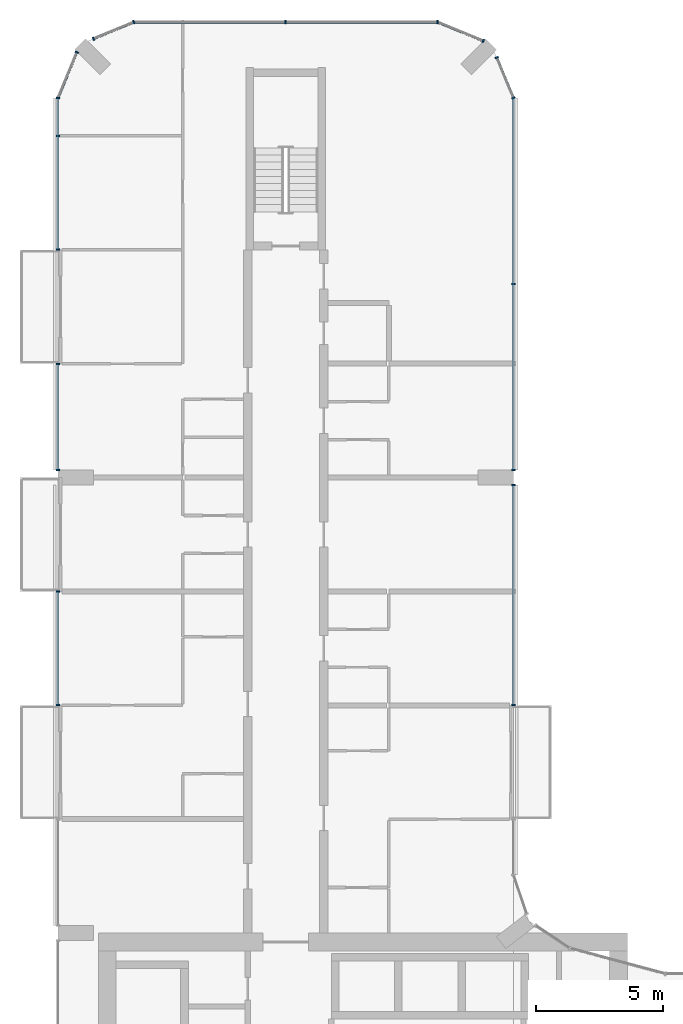
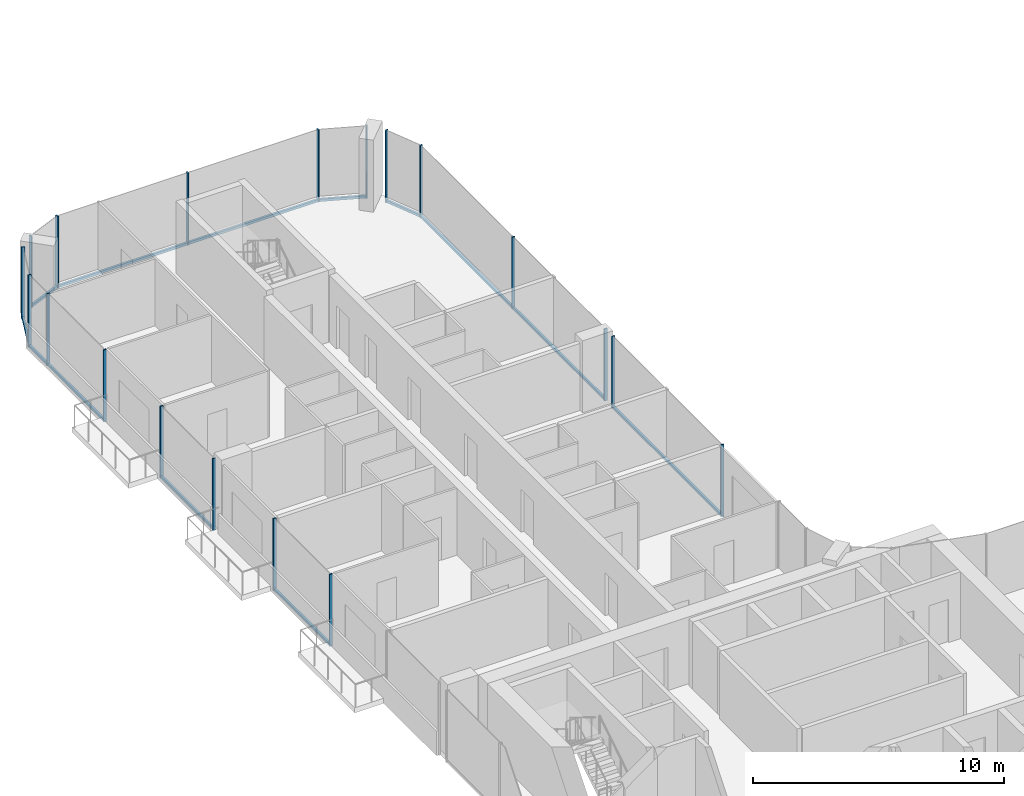
# One storey, part 6 of 22: 29 members, 10 elements without a shape of their own.
"""IFC4 building model written with IfcOpenShell, lengths in metres."""

from ifc_helpers import new_model, si_unit, direction, frame, origin, origin_2d, place, context, subcontext, project, spatial, rectangle, extrude, material, layer, layer_set, material_profile, profile_set, type_object, element, aggregate, save


model = new_model("IFC4")

# Units and contexts
model_context = context("Model", 3, precision=1e-05, world=origin(), true_north=direction((0.0, 1.0)))
body_context = subcontext(model_context, "Body", "Model", "MODEL_VIEW")
ifc_project = project(units=[si_unit("LENGTHUNIT", "METRE"), si_unit("AREAUNIT", "SQUARE_METRE"), si_unit("VOLUMEUNIT", "CUBIC_METRE"), si_unit("PLANEANGLEUNIT", "RADIAN"), si_unit("MASSUNIT", "GRAM", prefix="KILO")], contexts=[model_context])

# Site, building, storey
site_placement = place(None, origin())
site = spatial("IfcSite", under=ifc_project, at=site_placement, CompositionType="ELEMENT")
building_placement = place(site_placement, origin())
building = spatial("IfcBuilding", under=site, at=building_placement, Name="Plateau Cross Towers", CompositionType="ELEMENT")
storey_placement = place(building_placement, frame((0.0, 0.0, 61.800048828125)))
storey = spatial("IfcBuildingStorey", under=building, at=storey_placement, Name="L15", CompositionType="ELEMENT", Elevation=61.800048828125)

# Curtain wall, members
ifc_material_1 = material(Name="Dark low-iron glass", Category="glass")
ifc_layer = layer(ifc_material_1, 0.239990234375)
ifc_layer_set = layer_set([ifc_layer], Name="Dark low-iron glass")
curtain_wall_type = type_object("IfcCurtainWallType", Name="Curtain wall flush unitised CW-B", PredefinedType="NOTDEFINED", material=ifc_layer_set)
curtain_wall_1_placement = place(storey_placement, origin())
curtain_wall_1 = element("IfcCurtainWall", 1, at=curtain_wall_1_placement, inside=storey, type_object=curtain_wall_type, Name="ENV/A/L15/A180_270", PredefinedType="NOTDEFINED")
ifc_material_2 = material(Name="Black anodised aluminium", Category="aluminium")
ifc_material_profile_1 = material_profile(ifc_material_2, rectangle(XDim=0.06005859375, YDim=0.139892578125, at=origin_2d()), Name="MULLION 60x140")
ifc_profile_set_1 = profile_set([ifc_material_profile_1], Name="Black anodised aluminium")
member_type_1 = type_object("IfcMemberType", Name="Mullion 60x140 flush unitised", PredefinedType="MULLION", material=ifc_profile_set_1)
member_1_placement = place(storey_placement, frame((18.0, 27.010009765625, -0.25), z_axis=(0.0, 0.0, 1.0), x_axis=(0.0, 1.0, 0.0)))
member_1 = element("IfcMember", 2, at=member_1_placement, type_object=member_type_1, Name="CW-B mullion 1", PredefinedType="MULLION", context=body_context, shape_type="SweptSolid", body=[
    extrude(rectangle(XDim=0.06005859375, YDim=0.139892578125, at=origin_2d()), origin(), (0.0, 0.0, 1.0), 3.5),
])
member_2_placement = place(storey_placement, frame((18.0, 35.699951171875, -0.25), z_axis=(0.0, 0.0, 1.0), x_axis=(0.0, 1.0, 0.0)))
member_2 = element("IfcMember", 3, at=member_2_placement, type_object=member_type_1, Name="CW-B mullion 2", PredefinedType="MULLION", context=body_context, shape_type="SweptSolid", body=[
    extrude(rectangle(XDim=0.06005859375, YDim=0.139892578125, at=origin_2d()), origin(), (0.0, 0.0, 1.0), 3.5),
])

curtain_wall_2_placement = place(storey_placement, origin())
curtain_wall_2 = element("IfcCurtainWall", 4, at=curtain_wall_2_placement, inside=storey, type_object=curtain_wall_type, Name="ENV/A/L15/A180_363", PredefinedType="NOTDEFINED")
member_3_placement = place(storey_placement, frame((18.0, 36.300048828125, -0.25), z_axis=(0.0, 0.0, 1.0), x_axis=(0.0, 1.0, 0.0)))
member_3 = element("IfcMember", 5, at=member_3_placement, type_object=member_type_1, Name="CW-B mullion 1", PredefinedType="MULLION", context=body_context, shape_type="SweptSolid", body=[
    extrude(rectangle(XDim=0.06005859375, YDim=0.139892578125, at=origin_2d()), origin(), (0.0, 0.0, 1.0), 3.5),
])
member_4_placement = place(storey_placement, frame((18.0, 43.64990234375, -0.25), z_axis=(0.0, 0.0, 1.0), x_axis=(0.0, 1.0, 0.0)))
member_4 = element("IfcMember", 6, at=member_4_placement, type_object=member_type_1, Name="CW-B mullion 2", PredefinedType="MULLION", context=body_context, shape_type="SweptSolid", body=[
    extrude(rectangle(XDim=0.06005859375, YDim=0.139892578125, at=origin_2d()), origin(), (0.0, 0.0, 1.0), 3.5),
])

curtain_wall_3_placement = place(storey_placement, origin())
curtain_wall_3 = element("IfcCurtainWall", 7, at=curtain_wall_3_placement, inside=storey, type_object=curtain_wall_type, Name="ENV/A/L15/A180_510", PredefinedType="NOTDEFINED")
member_5_placement = place(storey_placement, frame((18.0, 51.0, -0.25), z_axis=(0.0, 0.0, 1.0), x_axis=(-0.382683612978, 0.923879457699, 0.0)))
member_5 = element("IfcMember", 8, at=member_5_placement, type_object=member_type_1, Name="CW-B mullion 1", PredefinedType="MULLION", context=body_context, shape_type="SweptSolid", body=[
    extrude(rectangle(XDim=0.06005859375, YDim=0.139892578125, at=origin_2d()), origin(), (0.0, 0.0, 1.0), 3.5),
])
member_6_placement = place(storey_placement, frame((17.338623046875, 52.5966796875, -0.25), z_axis=(0.0, 0.0, 1.0), x_axis=(-0.382683612978, 0.923879457699, 0.0)))
member_6 = element("IfcMember", 9, at=member_6_placement, type_object=member_type_1, Name="CW-B mullion 2", PredefinedType="MULLION", context=body_context, shape_type="SweptSolid", body=[
    extrude(rectangle(XDim=0.06005859375, YDim=0.139892578125, at=origin_2d()), origin(), (0.0, 0.0, 1.0), 3.5),
])

# Curtain wall, member
curtain_wall_4_placement = place(storey_placement, origin())
curtain_wall_4 = element("IfcCurtainWall", 10, at=curtain_wall_4_placement, inside=storey, type_object=curtain_wall_type, Name="ENV/A/L15/A168_533", PredefinedType="NOTDEFINED")
member_7_placement = place(storey_placement, frame((16.805908203125, 53.251953125, -0.25), z_axis=(0.0, 0.0, 1.0), x_axis=(-0.923879457699, 0.382683612978, 0.0)))
member_7 = element("IfcMember", 11, at=member_7_placement, type_object=member_type_1, Name="CW-B mullion 1", PredefinedType="MULLION", context=body_context, shape_type="SweptSolid", body=[
    extrude(rectangle(XDim=0.06005859375, YDim=0.139892578125, at=origin_2d()), origin(), (0.0, 0.0, 1.0), 3.5),
])

# Curtain wall, members
curtain_wall_5_placement = place(storey_placement, origin())
curtain_wall_5 = element("IfcCurtainWall", 12, at=curtain_wall_5_placement, inside=storey, type_object=curtain_wall_type, Name="ENV/A/L15/A150_540", PredefinedType="NOTDEFINED")
member_8_placement = place(storey_placement, frame((15.0, 54.0, -0.25), z_axis=(0.0, 0.0, 1.0), x_axis=(-1.0, 0.0, 0.0)))
member_8 = element("IfcMember", 13, at=member_8_placement, type_object=member_type_1, Name="CW-B mullion 1", PredefinedType="MULLION", context=body_context, shape_type="SweptSolid", body=[
    extrude(rectangle(XDim=0.06005859375, YDim=0.139892578125, at=origin_2d()), origin(), (0.0, 0.0, 1.0), 3.5),
])
member_9_placement = place(storey_placement, frame((9.0, 54.0, -0.25), z_axis=(0.0, 0.0, 1.0), x_axis=(-1.0, 0.0, 0.0)))
member_9 = element("IfcMember", 14, at=member_9_placement, type_object=member_type_1, Name="CW-B mullion 2", PredefinedType="MULLION", context=body_context, shape_type="SweptSolid", body=[
    extrude(rectangle(XDim=0.06005859375, YDim=0.139892578125, at=origin_2d()), origin(), (0.0, 0.0, 1.0), 3.5),
])

curtain_wall_6_placement = place(storey_placement, origin())
curtain_wall_6 = element("IfcCurtainWall", 15, at=curtain_wall_6_placement, inside=storey, type_object=curtain_wall_type, Name="ENV/A/L15/A30_540", PredefinedType="NOTDEFINED")
member_10_placement = place(storey_placement, frame((3.0, 54.0, -0.25), z_axis=(0.0, 0.0, 1.0), x_axis=(-0.923879457699, -0.382683612978, 0.0)))
member_10 = element("IfcMember", 16, at=member_10_placement, type_object=member_type_1, Name="CW-B mullion 1", PredefinedType="MULLION", context=body_context, shape_type="SweptSolid", body=[
    extrude(rectangle(XDim=0.06005859375, YDim=0.139892578125, at=origin_2d()), origin(), (0.0, 0.0, 1.0), 3.5),
])
member_11_placement = place(storey_placement, frame((1.4033203125, 53.338623046875, -0.25), z_axis=(0.0, 0.0, 1.0), x_axis=(-0.923879457699, -0.382683612978, 0.0)))
member_11 = element("IfcMember", 17, at=member_11_placement, type_object=member_type_1, Name="CW-B mullion 2", PredefinedType="MULLION", context=body_context, shape_type="SweptSolid", body=[
    extrude(rectangle(XDim=0.06005859375, YDim=0.139892578125, at=origin_2d()), origin(), (0.0, 0.0, 1.0), 3.5),
])

# Curtain wall, member
curtain_wall_7_placement = place(storey_placement, origin())
curtain_wall_7 = element("IfcCurtainWall", 18, at=curtain_wall_7_placement, inside=storey, type_object=curtain_wall_type, Name="ENV/A/L15/A7_528", PredefinedType="NOTDEFINED")
member_12_placement = place(storey_placement, frame((0.748046875, 52.805908203125, -0.25), z_axis=(0.0, 0.0, 1.0), x_axis=(-0.382683612978, -0.923879457699, 0.0)))
member_12 = element("IfcMember", 19, at=member_12_placement, type_object=member_type_1, Name="CW-B mullion 1", PredefinedType="MULLION", context=body_context, shape_type="SweptSolid", body=[
    extrude(rectangle(XDim=0.06005859375, YDim=0.139892578125, at=origin_2d()), origin(), (0.0, 0.0, 1.0), 3.5),
])

# Curtain wall, members
curtain_wall_8_placement = place(storey_placement, origin())
curtain_wall_8 = element("IfcCurtainWall", 20, at=curtain_wall_8_placement, inside=storey, type_object=curtain_wall_type, Name="ENV/A/L15/A0_510", PredefinedType="NOTDEFINED")
member_13_placement = place(storey_placement, frame((0.0, 51.0, -0.25), z_axis=(0.0, 0.0, 1.0), x_axis=(0.0, -1.0, 0.0)))
member_13 = element("IfcMember", 21, at=member_13_placement, type_object=member_type_1, Name="CW-B mullion 1", PredefinedType="MULLION", context=body_context, shape_type="SweptSolid", body=[
    extrude(rectangle(XDim=0.06005859375, YDim=0.139892578125, at=origin_2d()), origin(), (0.0, 0.0, 1.0), 3.5),
])
member_14_placement = place(storey_placement, frame((0.0, 49.5, -0.25), z_axis=(0.0, 0.0, 1.0), x_axis=(0.0, -1.0, 0.0)))
member_14 = element("IfcMember", 22, at=member_14_placement, type_object=member_type_1, Name="CW-B mullion 2", PredefinedType="MULLION", context=body_context, shape_type="SweptSolid", body=[
    extrude(rectangle(XDim=0.06005859375, YDim=0.139892578125, at=origin_2d()), origin(), (0.0, 0.0, 1.0), 3.5),
])
member_15_placement = place(storey_placement, frame((0.0, 45.010009765625, -0.25), z_axis=(0.0, 0.0, 1.0), x_axis=(0.0, -1.0, 0.0)))
member_15 = element("IfcMember", 23, at=member_15_placement, type_object=member_type_1, Name="CW-B mullion 3", PredefinedType="MULLION", context=body_context, shape_type="SweptSolid", body=[
    extrude(rectangle(XDim=0.06005859375, YDim=0.139892578125, at=origin_2d()), origin(), (0.0, 0.0, 1.0), 3.5),
])

curtain_wall_9_placement = place(storey_placement, origin())
curtain_wall_9 = element("IfcCurtainWall", 24, at=curtain_wall_9_placement, inside=storey, type_object=curtain_wall_type, Name="ENV/A/L15/A0_405", PredefinedType="NOTDEFINED")
member_16_placement = place(storey_placement, frame((0.0, 40.489990234375, -0.25), z_axis=(0.0, 0.0, 1.0), x_axis=(0.0, -1.0, 0.0)))
member_16 = element("IfcMember", 25, at=member_16_placement, type_object=member_type_1, Name="CW-B mullion 1", PredefinedType="MULLION", context=body_context, shape_type="SweptSolid", body=[
    extrude(rectangle(XDim=0.06005859375, YDim=0.139892578125, at=origin_2d()), origin(), (0.0, 0.0, 1.0), 3.5),
])
member_17_placement = place(storey_placement, frame((0.0, 36.300048828125, -0.25), z_axis=(0.0, 0.0, 1.0), x_axis=(0.0, -1.0, 0.0)))
member_17 = element("IfcMember", 26, at=member_17_placement, type_object=member_type_1, Name="CW-B mullion 2", PredefinedType="MULLION", context=body_context, shape_type="SweptSolid", body=[
    extrude(rectangle(XDim=0.06005859375, YDim=0.139892578125, at=origin_2d()), origin(), (0.0, 0.0, 1.0), 3.5),
])

curtain_wall_10_placement = place(storey_placement, origin())
curtain_wall_10 = element("IfcCurtainWall", 27, at=curtain_wall_10_placement, inside=storey, type_object=curtain_wall_type, Name="ENV/A/L15/A0_315", PredefinedType="NOTDEFINED")
member_18_placement = place(storey_placement, frame((0.0, 31.489990234375, -0.25), z_axis=(0.0, 0.0, 1.0), x_axis=(0.0, -1.0, 0.0)))
member_18 = element("IfcMember", 28, at=member_18_placement, type_object=member_type_1, Name="CW-B mullion 1", PredefinedType="MULLION", context=body_context, shape_type="SweptSolid", body=[
    extrude(rectangle(XDim=0.06005859375, YDim=0.139892578125, at=origin_2d()), origin(), (0.0, 0.0, 1.0), 3.5),
])
member_19_placement = place(storey_placement, frame((0.0, 27.010009765625, -0.25), z_axis=(0.0, 0.0, 1.0), x_axis=(0.0, -1.0, 0.0)))
member_19 = element("IfcMember", 29, at=member_19_placement, type_object=member_type_1, Name="CW-B mullion 2", PredefinedType="MULLION", context=body_context, shape_type="SweptSolid", body=[
    extrude(rectangle(XDim=0.06005859375, YDim=0.139892578125, at=origin_2d()), origin(), (0.0, 0.0, 1.0), 3.5),
])

# Member
ifc_material_profile_2 = material_profile(ifc_material_2, rectangle(XDim=0.10009765625, YDim=0.1201171875, at=origin_2d()), Name="TRANSOM 100x120")
ifc_profile_set_2 = profile_set([ifc_material_profile_2], Name="Black anodised aluminium")
member_type_2 = type_object("IfcMemberType", Name="Transom 100x120 flush unitised", PredefinedType="USERDEFINED", material=ifc_profile_set_2)
member_20_placement = place(storey_placement, frame((18.0, 27.010009765625, -0.18994140625), z_axis=(0.0, 1.0, 0.0), x_axis=(-1.0, 0.0, 0.0)))
member_20 = element("IfcMember", 30, at=member_20_placement, type_object=member_type_2, Name="CW-B transom", ObjectType="TRANSOM", PredefinedType="USERDEFINED", context=body_context, shape_type="SweptSolid", body=[
    extrude(rectangle(XDim=0.10009765625, YDim=0.1201171875, at=origin_2d()), origin(), (0.0, 0.0, 1.0), 8.68994140625),
])

aggregate(curtain_wall_1, [member_1, member_2, member_20])

member_21_placement = place(storey_placement, frame((18.0, 36.300048828125, -0.18994140625), z_axis=(0.0, 1.0, 0.0), x_axis=(-1.0, 0.0, 0.0)))
member_21 = element("IfcMember", 31, at=member_21_placement, type_object=member_type_2, Name="CW-B transom", ObjectType="TRANSOM", PredefinedType="USERDEFINED", context=body_context, shape_type="SweptSolid", body=[
    extrude(rectangle(XDim=0.10009765625, YDim=0.1201171875, at=origin_2d()), origin(), (0.0, 0.0, 1.0), 14.699951171875),
])

aggregate(curtain_wall_2, [member_3, member_4, member_21])

member_22_placement = place(storey_placement, frame((18.0, 51.0, -0.18994140625), z_axis=(-0.382688653628, 0.923877369776, 0.0), x_axis=(-0.923877369776, -0.382688653628, 0.0)))
member_22 = element("IfcMember", 32, at=member_22_placement, type_object=member_type_2, Name="CW-B transom", ObjectType="TRANSOM", PredefinedType="USERDEFINED", context=body_context, shape_type="SweptSolid", body=[
    extrude(rectangle(XDim=0.10009765625, YDim=0.1201171875, at=origin_2d()), origin(), (0.0, 0.0, 1.0), 1.728271484375),
])

aggregate(curtain_wall_3, [member_5, member_6, member_22])

member_23_placement = place(storey_placement, frame((16.805908203125, 53.251953125, -0.18994140625), z_axis=(-0.92387678234, 0.382690071798, 0.0), x_axis=(-0.382690071798, -0.92387678234, 0.0)))
member_23 = element("IfcMember", 33, at=member_23_placement, type_object=member_type_2, Name="CW-B transom", ObjectType="TRANSOM", PredefinedType="USERDEFINED", context=body_context, shape_type="SweptSolid", body=[
    extrude(rectangle(XDim=0.10009765625, YDim=0.1201171875, at=origin_2d()), origin(), (0.0, 0.0, 1.0), 1.95458984375),
])

aggregate(curtain_wall_4, [member_7, member_23])

member_24_placement = place(storey_placement, frame((15.0, 54.0, -0.18994140625), z_axis=(-1.0, 0.0, 0.0), x_axis=(0.0, -1.0, 0.0)))
member_24 = element("IfcMember", 34, at=member_24_placement, type_object=member_type_2, Name="CW-B transom", ObjectType="TRANSOM", PredefinedType="USERDEFINED", context=body_context, shape_type="SweptSolid", body=[
    extrude(rectangle(XDim=0.10009765625, YDim=0.1201171875, at=origin_2d()), origin(), (0.0, 0.0, 1.0), 12.0),
])

aggregate(curtain_wall_5, [member_8, member_9, member_24])

member_25_placement = place(storey_placement, frame((3.0, 54.0, -0.18994140625), z_axis=(-0.923877369776, -0.382688653628, 0.0), x_axis=(0.382688653628, -0.923877369776, 0.0)))
member_25 = element("IfcMember", 35, at=member_25_placement, type_object=member_type_2, Name="CW-B transom", ObjectType="TRANSOM", PredefinedType="USERDEFINED", context=body_context, shape_type="SweptSolid", body=[
    extrude(rectangle(XDim=0.10009765625, YDim=0.1201171875, at=origin_2d()), origin(), (0.0, 0.0, 1.0), 1.728271484375),
])

aggregate(curtain_wall_6, [member_10, member_11, member_25])

member_26_placement = place(storey_placement, frame((0.748046875, 52.805908203125, -0.18994140625), z_axis=(-0.382690071798, -0.92387678234, 0.0), x_axis=(0.92387678234, -0.382690071798, 0.0)))
member_26 = element("IfcMember", 36, at=member_26_placement, type_object=member_type_2, Name="CW-B transom", ObjectType="TRANSOM", PredefinedType="USERDEFINED", context=body_context, shape_type="SweptSolid", body=[
    extrude(rectangle(XDim=0.10009765625, YDim=0.1201171875, at=origin_2d()), origin(), (0.0, 0.0, 1.0), 1.95458984375),
])

aggregate(curtain_wall_7, [member_12, member_26])

member_27_placement = place(storey_placement, frame((0.0, 51.0, -0.18994140625), z_axis=(0.0, -1.0, 0.0), x_axis=(1.0, 0.0, 0.0)))
member_27 = element("IfcMember", 37, at=member_27_placement, type_object=member_type_2, Name="CW-B transom", ObjectType="TRANSOM", PredefinedType="USERDEFINED", context=body_context, shape_type="SweptSolid", body=[
    extrude(rectangle(XDim=0.10009765625, YDim=0.1201171875, at=origin_2d()), origin(), (0.0, 0.0, 1.0), 5.989990234375),
])

aggregate(curtain_wall_8, [member_13, member_14, member_15, member_27])

member_28_placement = place(storey_placement, frame((0.0, 40.489990234375, -0.18994140625), z_axis=(0.0, -1.0, 0.0), x_axis=(1.0, 0.0, 0.0)))
member_28 = element("IfcMember", 38, at=member_28_placement, type_object=member_type_2, Name="CW-B transom", ObjectType="TRANSOM", PredefinedType="USERDEFINED", context=body_context, shape_type="SweptSolid", body=[
    extrude(rectangle(XDim=0.10009765625, YDim=0.1201171875, at=origin_2d()), origin(), (0.0, 0.0, 1.0), 4.18994140625),
])

aggregate(curtain_wall_9, [member_16, member_17, member_28])

member_29_placement = place(storey_placement, frame((0.0, 31.489990234375, -0.18994140625), z_axis=(0.0, -1.0, 0.0), x_axis=(1.0, 0.0, 0.0)))
member_29 = element("IfcMember", 39, at=member_29_placement, type_object=member_type_2, Name="CW-B transom", ObjectType="TRANSOM", PredefinedType="USERDEFINED", context=body_context, shape_type="SweptSolid", body=[
    extrude(rectangle(XDim=0.10009765625, YDim=0.1201171875, at=origin_2d()), origin(), (0.0, 0.0, 1.0), 4.47998046875),
])

aggregate(curtain_wall_10, [member_18, member_19, member_29])

save(model, "model.ifc")
